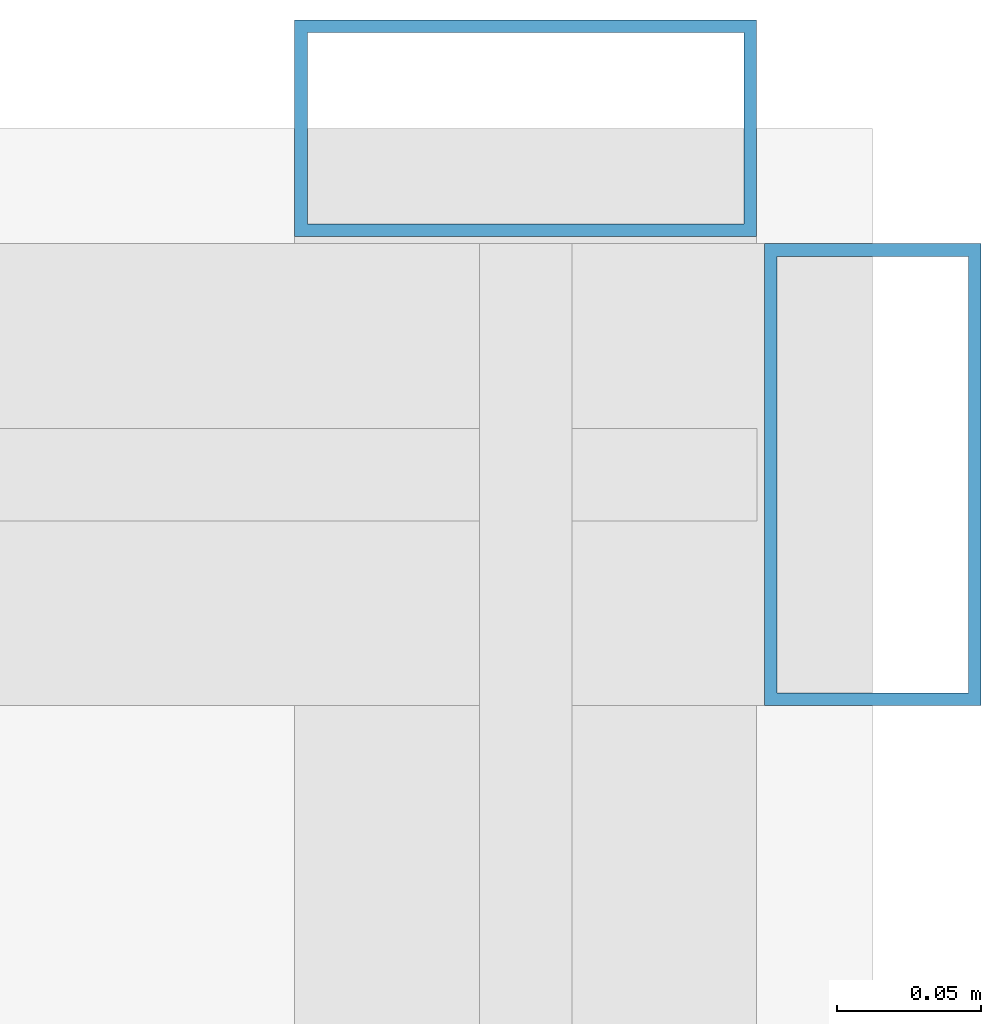
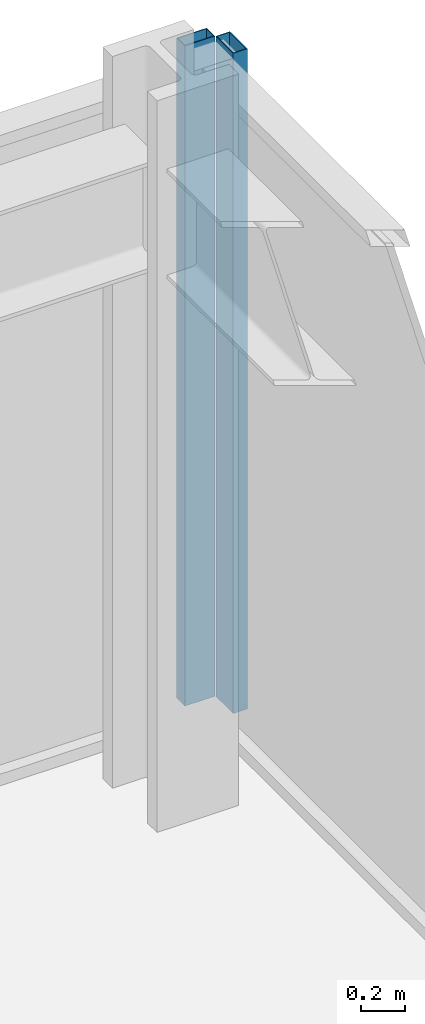
# One storey, part 32 of 39: 2 members, 2 elements without a shape of their own.
"""IFC4 building model written with IfcOpenShell, lengths in metres."""

from ifc_helpers import new_model, si_unit, direction, frame, origin, origin_2d, place, context, subcontext, project, spatial, hollow_rectangle, extrude, material, material_profile, profile_set, type_object, element, aggregate, save


model = new_model("IFC4")

# Units and contexts
model_context = context("Model", 3, precision=1e-05, world=origin(), true_north=direction((0.0, 1.0)))
body_context = subcontext(model_context, "Body", "Model", "MODEL_VIEW")
ifc_project = project(units=[si_unit("LENGTHUNIT", "METRE"), si_unit("AREAUNIT", "SQUARE_METRE"), si_unit("VOLUMEUNIT", "CUBIC_METRE"), si_unit("PLANEANGLEUNIT", "RADIAN"), si_unit("MASSUNIT", "GRAM", prefix="KILO")], contexts=[model_context])

# Site, building, storey
site_placement = place(None, origin())
site = spatial("IfcSite", under=ifc_project, at=site_placement, CompositionType="ELEMENT")
building_placement = place(site_placement, origin())
building = spatial("IfcBuilding", under=site, at=building_placement, Name="Kolvaren Belvedere", CompositionType="ELEMENT")
storey_placement = place(building_placement, frame((0.0, 0.0, 15.199951171875)))
storey = spatial("IfcBuildingStorey", under=building, at=storey_placement, Name="L04", CompositionType="ELEMENT", Elevation=15.199951171875)

# Curtain wall, member
ifc_material_1 = material(Name="Anodised pale-metal aluminium AA 6063-T6", Category="aluminium")
curtain_wall_type = type_object("IfcCurtainWallType", Name="CW-POD-A", PredefinedType="NOTDEFINED", material=ifc_material_1)
curtain_wall_1_placement = place(storey_placement, origin())
curtain_wall_1 = element("IfcCurtainWall", 1, at=curtain_wall_1_placement, inside=storey, type_object=curtain_wall_type, Name="L04 Unitised Curtain Wall FCW-L04-E", PredefinedType="NOTDEFINED")
ifc_material_2 = material(Name="Anodised pale-metal aluminium AA 6063-T6", Category="aluminium")
ifc_material_profile = material_profile(ifc_material_2, hollow_rectangle(XDim=0.074951171875, YDim=0.159912109375, WallThickness=0.00439453125, at=origin_2d()), Name="ALU-MUL-160X75")
ifc_profile_set = profile_set([ifc_material_profile], Name="Anodised pale-metal aluminium AA 6063-T6")
member_type = type_object("IfcMemberType", Name="CW-MUL-160", PredefinedType="MULLION", material=ifc_profile_set)
member_1_placement = place(storey_placement, frame((27.8798828125, 28.39990234375, 0.0), z_axis=(0.0, 0.0, 1.0), x_axis=(0.0, 1.0, 0.0)))
member_1 = element("IfcMember", 2, at=member_1_placement, type_object=member_type, Name="FCW-L04-E Unitised Mullion 1", PredefinedType="MULLION", context=body_context, shape_type="SweptSolid", body=[
    extrude(hollow_rectangle(XDim=0.074951171875, YDim=0.159912109375, WallThickness=0.00439453125, at=origin_2d()), origin(), (0.0, 0.0, 1.0), 3.699951171875),
])
aggregate(curtain_wall_1, [member_1])

curtain_wall_2_placement = place(storey_placement, origin())
curtain_wall_2 = element("IfcCurtainWall", 3, at=curtain_wall_2_placement, inside=storey, type_object=curtain_wall_type, Name="L04 Unitised Curtain Wall FCW-L04-N", PredefinedType="NOTDEFINED")
member_2_placement = place(storey_placement, frame((28.0, 28.280029296875, 0.0), z_axis=(0.0, 0.0, 1.0), x_axis=(1.0, 0.0, 0.0)))
member_2 = element("IfcMember", 4, at=member_2_placement, type_object=member_type, Name="FCW-L04-N Unitised Mullion 5", PredefinedType="MULLION", context=body_context, shape_type="SweptSolid", body=[
    extrude(hollow_rectangle(XDim=0.074951171875, YDim=0.159912109375, WallThickness=0.00439453125, at=origin_2d()), origin(), (0.0, 0.0, 1.0), 3.699951171875),
])
aggregate(curtain_wall_2, [member_2])

save(model, "model.ifc")
